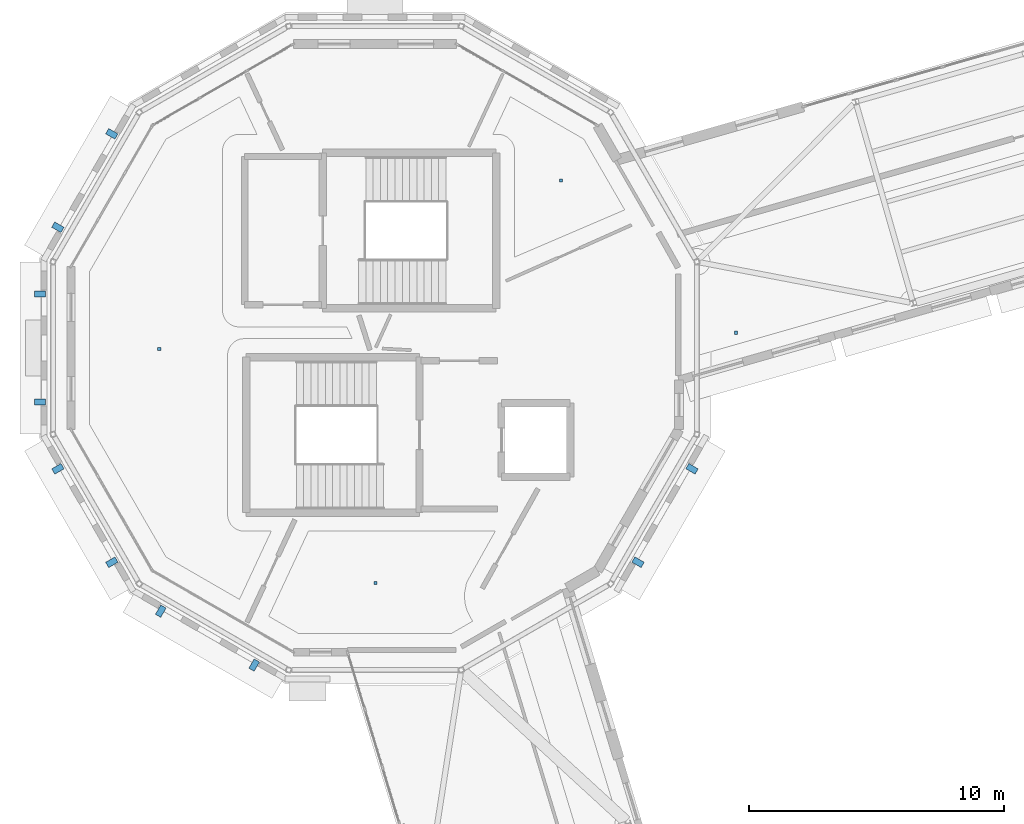
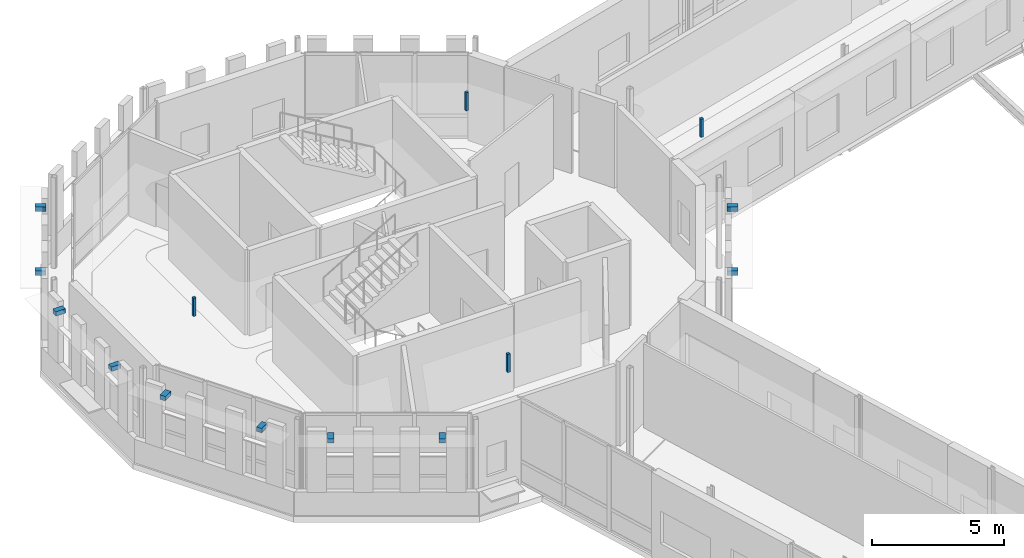
# One storey, part 109 of 125: 14 discrete accessories.
"""IFC4 building model written with IfcOpenShell, lengths in metres."""

import ifcopenshell
import ifcopenshell.guid

model = None  # the IFC model being written
_history = None  # IfcOwnerHistory: only IFC2X3 demands one
_inside = {}  # id of a spatial element -> (the spatial element, [elements in it])
_under = {}  # id of a project, library or spatial element -> (it, [spatial elements below it])
_declared = {}  # id of a project -> (the project, [libraries it declares])
_typed = {}  # id of a type object -> (the type object, [elements of that type])
_made_of = {}  # id of a material, layer set ... -> (it, [elements and type objects made of it])


def new_model(schema):
    """Start an empty IFC model of exactly this schema.

    Asked for "IFC4X3", IfcOpenShell would pick the latest addendum, in which some entities
    have other attributes; the version numbers below select the first issue.
    IFC2X3 requires an IfcOwnerHistory on every rooted entity: one is made here for all.
    """
    global model, _history
    if schema == "IFC4X3":
        model = ifcopenshell.file(schema_version=(4, 3, 0, 0))
    else:
        model = ifcopenshell.file(schema=schema)
    _inside.clear()
    _under.clear()
    _declared.clear()
    _typed.clear()
    _made_of.clear()
    _history = None
    if model.schema == "IFC2X3":
        org = make("IfcOrganization", Name="unknown")
        user = make(
            "IfcPersonAndOrganization",
            ThePerson=make("IfcPerson", FamilyName="unknown"),
            TheOrganization=org,
        )
        app = make(
            "IfcApplication",
            ApplicationDeveloper=org,
            Version="unknown",
            ApplicationFullName="unknown",
            ApplicationIdentifier="unknown",
        )
        _history = make(
            "IfcOwnerHistory",
            OwningUser=user,
            OwningApplication=app,
            ChangeAction="ADDED",
            CreationDate=0,
        )
    return model


def make(cls, **values):
    """One entity of the class cls with the attributes given. An attribute that is None is left unset."""
    return model.create_entity(
        cls, **{name: value for name, value in values.items() if value is not None}
    )


def rooted(cls, **values):
    """An entity with a GlobalId (a new one), such as an element, a storey or a relation."""
    return make(cls, GlobalId=ifcopenshell.guid.new(), OwnerHistory=_history, **values)


def si_unit(unit_type, name, prefix=None):
    """IfcSIUnit, for example si_unit("LENGTHUNIT", "METRE", prefix="MILLI")."""
    return make("IfcSIUnit", UnitType=unit_type, Prefix=prefix, Name=name)


def assignment(units):
    """IfcUnitAssignment: the units of a project."""
    return None if units is None else make("IfcUnitAssignment", Units=units)


def point(xyz):
    """IfcCartesianPoint."""
    return None if xyz is None else make("IfcCartesianPoint", Coordinates=xyz)


def direction(xyz):
    """IfcDirection."""
    return None if xyz is None else make("IfcDirection", DirectionRatios=xyz)


def frame(location, z_axis=None, x_axis=None):
    """IfcAxis2Placement3D, a coordinate frame: its origin and axes. An axis left out is left unset."""
    return make(
        "IfcAxis2Placement3D",
        Location=point(location),
        Axis=direction(z_axis),
        RefDirection=direction(x_axis),
    )


def frame_2d(location, x_axis=None):
    """IfcAxis2Placement2D, a coordinate frame in the plane: its origin and x axis."""
    return make(
        "IfcAxis2Placement2D", Location=point(location), RefDirection=direction(x_axis)
    )


def origin():
    """The frame at (0, 0, 0) with its axes left unset."""
    return frame((0.0, 0.0, 0.0))


def origin_2d():
    """The frame at (0, 0) in the plane with its x axis left unset."""
    return frame_2d((0.0, 0.0))


def place(relative_to, where):
    """IfcLocalPlacement: puts the frame where relative to a parent placement (None: the world)."""
    return make(
        "IfcLocalPlacement", PlacementRelTo=relative_to, RelativePlacement=where
    )


def context(
    kind, dimensions, precision=None, world=None, true_north=None, identifier=None
):
    """IfcGeometricRepresentationContext, for example the 3D "Model" context."""
    return make(
        "IfcGeometricRepresentationContext",
        ContextIdentifier=identifier,
        ContextType=kind,
        CoordinateSpaceDimension=dimensions,
        Precision=precision,
        WorldCoordinateSystem=world,
        TrueNorth=true_north,
    )


def subcontext(parent, identifier, kind, view, scale=None):
    """IfcGeometricRepresentationSubContext, for example "Body" below "Model"."""
    return make(
        "IfcGeometricRepresentationSubContext",
        ContextIdentifier=identifier,
        ContextType=kind,
        ParentContext=parent,
        TargetScale=scale,
        TargetView=view,
    )


def project(units=None, contexts=None):
    """IfcProject with its units and contexts."""
    return rooted(
        "IfcProject",
        Name="project",
        RepresentationContexts=contexts,
        UnitsInContext=assignment(units),
    )


def spatial(cls, under=None, at=None, **own):
    """A site, building, storey or space (cls), placed at a placement, below another one or the project."""
    s = rooted(cls, ObjectPlacement=at, **own)
    if under is not None:
        _under.setdefault(under.id(), (under, []))[1].append(s)
    return s


def profile(cls, at=None, kind="AREA", **sizes):
    """A parametric profile (cls). Its sizes go by their IFC names, for example OverallWidth=200.0."""
    return make(cls, ProfileType=kind, Position=at, **sizes)


def rectangle(**sizes):
    """IfcRectangleProfileDef."""
    return profile("IfcRectangleProfileDef", **sizes)


def extrude(swept, where, along, depth):
    """IfcExtrudedAreaSolid: the profile swept, set in the frame where, extruded along a direction by depth."""
    return make(
        "IfcExtrudedAreaSolid",
        SweptArea=swept,
        Position=where,
        ExtrudedDirection=direction(along),
        Depth=depth,
    )


def shape(context_of_items, identifier, shape_type, items):
    """IfcShapeRepresentation: the items that make up one representation, for example the "Body"."""
    return make(
        "IfcShapeRepresentation",
        ContextOfItems=context_of_items,
        RepresentationIdentifier=identifier,
        RepresentationType=shape_type,
        Items=items,
    )


def material(Name=None, Category=None):
    """IfcMaterial."""
    return make("IfcMaterial", Name=Name, Category=Category)


def made_of(thing, what):
    """Note that an element or type object is made of a material, layer set ...; save() writes the relation."""
    if what is not None:
        _made_of.setdefault(what.id(), (what, []))[1].append(thing)
    return thing


def type_object(cls, material=None, **own):
    """A type object (cls), such as IfcWallType, which elements share."""
    return made_of(rooted(cls, **own), material)


def element(
    cls,
    number,
    at=None,
    inside=None,
    cuts=None,
    type_object=None,
    material=None,
    context=None,
    identifier="Body",
    shape_type=None,
    held_by="IfcProductDefinitionShape",
    body=None,
    shapes=None,
    **own,
):
    """One element of the class cls, such as IfcWall. Its Tag is "e" and its number.

    at: its placement. inside: the storey or other place that contains it. cuts: it is an
    opening in that element (IfcRelVoidsElement). A single representation is given by context,
    identifier, shape_type and body (its items); several are given by shapes. held_by: the class
    of the entity that holds the representations. save() writes the other relations.
    """
    e = rooted(cls, Tag="e%d" % number, ObjectPlacement=at, **own)
    if body is not None:
        shapes = [shape(context, identifier, shape_type, body)]
    if shapes is not None:
        e.Representation = make(held_by, Representations=shapes)
    if inside is not None:
        _inside.setdefault(inside.id(), (inside, []))[1].append(e)
    if cuts is not None:
        rooted(
            "IfcRelVoidsElement", RelatingBuildingElement=cuts, RelatedOpeningElement=e
        )
    if type_object is not None:
        _typed.setdefault(type_object.id(), (type_object, []))[1].append(e)
    return made_of(e, material)


def aggregate(whole, parts):
    """IfcRelAggregates: a whole, such as a stair, and the parts it consists of."""
    return rooted("IfcRelAggregates", RelatingObject=whole, RelatedObjects=parts)


def save(model, path):
    """Write the relations noted so far, then the file.

    IfcRelAggregates (storeys below a building ...), IfcRelContainedInSpatialStructure (elements
    in a storey), IfcRelDefinesByType, IfcRelAssociatesMaterial and IfcRelDeclares: one each for
    every whole, place, type object, material and project.
    """
    for whole, parts in _under.values():
        aggregate(whole, parts)
    for where, things in _inside.values():
        rooted(
            "IfcRelContainedInSpatialStructure",
            RelatedElements=things,
            RelatingStructure=where,
        )
    for kind, things in _typed.values():
        rooted("IfcRelDefinesByType", RelatedObjects=things, RelatingType=kind)
    for what, things in _made_of.values():
        rooted("IfcRelAssociatesMaterial", RelatedObjects=things, RelatingMaterial=what)
    for by, libraries in _declared.values():
        rooted("IfcRelDeclares", RelatingContext=by, RelatedDefinitions=libraries)
    model.write(path)


model = new_model("IFC4")

# Units and contexts
model_context = context("Model", 3, precision=1e-05, world=origin(), true_north=direction((0.0, 1.0)))
body_context = subcontext(model_context, "Body", "Model", "MODEL_VIEW")
ifc_project = project(units=[si_unit("LENGTHUNIT", "METRE"), si_unit("AREAUNIT", "SQUARE_METRE"), si_unit("VOLUMEUNIT", "CUBIC_METRE"), si_unit("PLANEANGLEUNIT", "RADIAN"), si_unit("MASSUNIT", "GRAM", prefix="KILO")], contexts=[model_context])

# Site, building, storey
site_placement = place(None, origin())
site = spatial("IfcSite", under=ifc_project, at=site_placement, CompositionType="ELEMENT")
building_placement = place(site_placement, origin())
building = spatial("IfcBuilding", under=site, at=building_placement, Name="Wrenclough Park School", CompositionType="ELEMENT")
storey_placement = place(building_placement, frame((0.0, 0.0, 4.199951171875)))
storey = spatial("IfcBuildingStorey", under=building, at=storey_placement, Name="L01", CompositionType="ELEMENT", Elevation=4.199951171875)

# Discrete accessories
ifc_material_1 = material(Name="Austenitic stainless steel Grade 1.4401", Category="steel")
discrete_accessory_type_1 = type_object("IfcDiscreteAccessoryType", Name="ENV-BRK-01", PredefinedType="BRACKET", material=ifc_material_1)
for number, where, z_axis, x_axis, name in (
    (1, (6.19677734375, 97.88720703125, 3.5400390625), (0.0, 0.0, 1.0), (-0.499990505441, -0.866030885401, 0.0), "Brise-soleil stainless outrigger bracket 0039"),
    (2, (4.084716796875, 94.229248046875, 3.5400390625), (0.0, 0.0, 1.0), (-0.499990505441, -0.866030885401, 0.0), "Brise-soleil stainless outrigger bracket 0040"),
    (3, (3.38330078125, 91.61181640625, 3.5400390625), (0.0, 0.0, 1.0), (0.0, -1.0, 0.0), "Brise-soleil stainless outrigger bracket 0041"),
    (4, (3.38330078125, 87.38818359375, 3.5400390625), (0.0, 0.0, 1.0), (0.0, -1.0, 0.0), "Brise-soleil stainless outrigger bracket 0042"),
    (5, (4.084716796875, 84.770751953125, 3.5400390625), (0.0, 0.0, 1.0), (0.499990505441, -0.866030885401, 0.0), "Brise-soleil stainless outrigger bracket 0043"),
    (6, (6.19677734375, 81.11279296875, 3.5400390625), (0.0, 0.0, 1.0), (0.499990505441, -0.866030885401, 0.0), "Brise-soleil stainless outrigger bracket 0044"),
    (7, (8.11279296875, 79.19677734375, 3.5400390625), (0.0, 0.0, 1.0), (0.866030885401, -0.499990505441, 0.0), "Brise-soleil stainless outrigger bracket 0045"),
    (8, (11.770751953125, 77.084716796875, 3.5400390625), (0.0, 0.0, 1.0), (0.866030885401, -0.499990505441, 0.0), "Brise-soleil stainless outrigger bracket 0046"),
    (9, (26.80322265625, 81.11279296875, 3.5400390625), (0.0, 0.0, 1.0), (0.499990505441, 0.866030885401, 0.0), "Brise-soleil stainless outrigger bracket 0047"),
    (10, (28.915283203125, 84.770751953125, 3.5400390625), (0.0, 0.0, 1.0), (0.499990505441, 0.866030885401, 0.0), "Brise-soleil stainless outrigger bracket 0048"),
):
    element("IfcDiscreteAccessory", number, at=place(storey_placement, frame(where, z_axis=z_axis, x_axis=x_axis)), inside=storey, type_object=discrete_accessory_type_1, Name=name, PredefinedType="BRACKET", context=body_context, shape_type="SweptSolid", body=[
        extrude(rectangle(XDim=0.239990234375, YDim=0.419921875, at=origin_2d()), origin(), (0.0, 0.0, 1.0), 0.199951171875),
    ])
ifc_material_2 = material(Name="Galvanised steel acoustic ceiling suspension hanger", Category="steel")
discrete_accessory_type_2 = type_object("IfcDiscreteAccessoryType", Name="INT-BRK-HGR", PredefinedType="BRACKET", material=ifc_material_2)
for number, where, z_axis, x_axis, name in (
    (11, (8.05322265625, 89.467529296875, 3.090087890625), (0.0, 0.0, 1.0), (1.0, 0.0, 0.0), "Acoustic ceiling hanger bracket 0027"),
    (12, (16.52099609375, 80.304443359375, 3.090087890625), (0.0, 0.0, 1.0), (1.0, 0.0, 0.0), "Acoustic ceiling hanger bracket 0028"),
    (13, (23.7919921875, 96.06591796875, 3.090087890625), (0.0, 0.0, 1.0), (1.0, 0.0, 0.0), "Acoustic ceiling hanger bracket 0029"),
    (14, (30.63671875, 90.099365234375, 3.090087890625), (0.0, 0.0, 1.0), (1.0, 0.0, 0.0), "Acoustic ceiling hanger bracket 0040"),
):
    element("IfcDiscreteAccessory", number, at=place(storey_placement, frame(where, z_axis=z_axis, x_axis=x_axis)), inside=storey, type_object=discrete_accessory_type_2, Name=name, PredefinedType="BRACKET", context=body_context, shape_type="SweptSolid", body=[
        extrude(rectangle(XDim=0.1201171875, YDim=0.1201171875, at=origin_2d()), origin(), (0.0, 0.0, 1.0), 0.85009765625),
    ])

save(model, "model.ifc")
